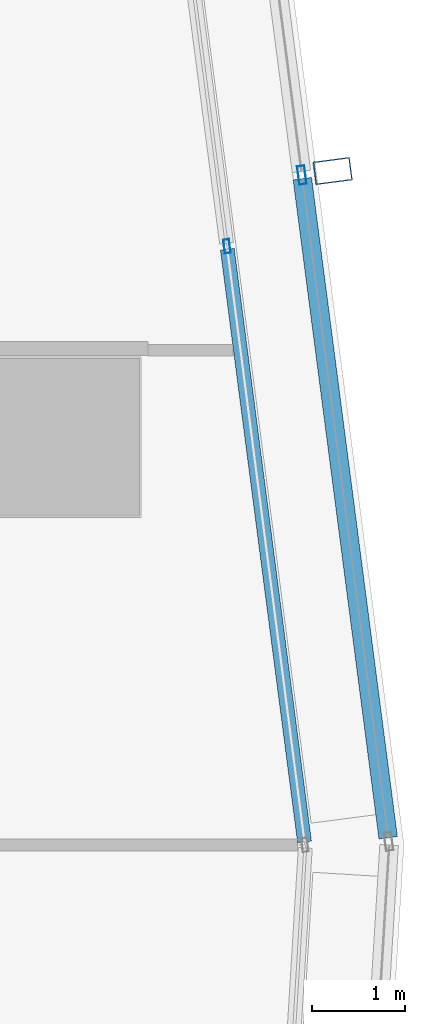
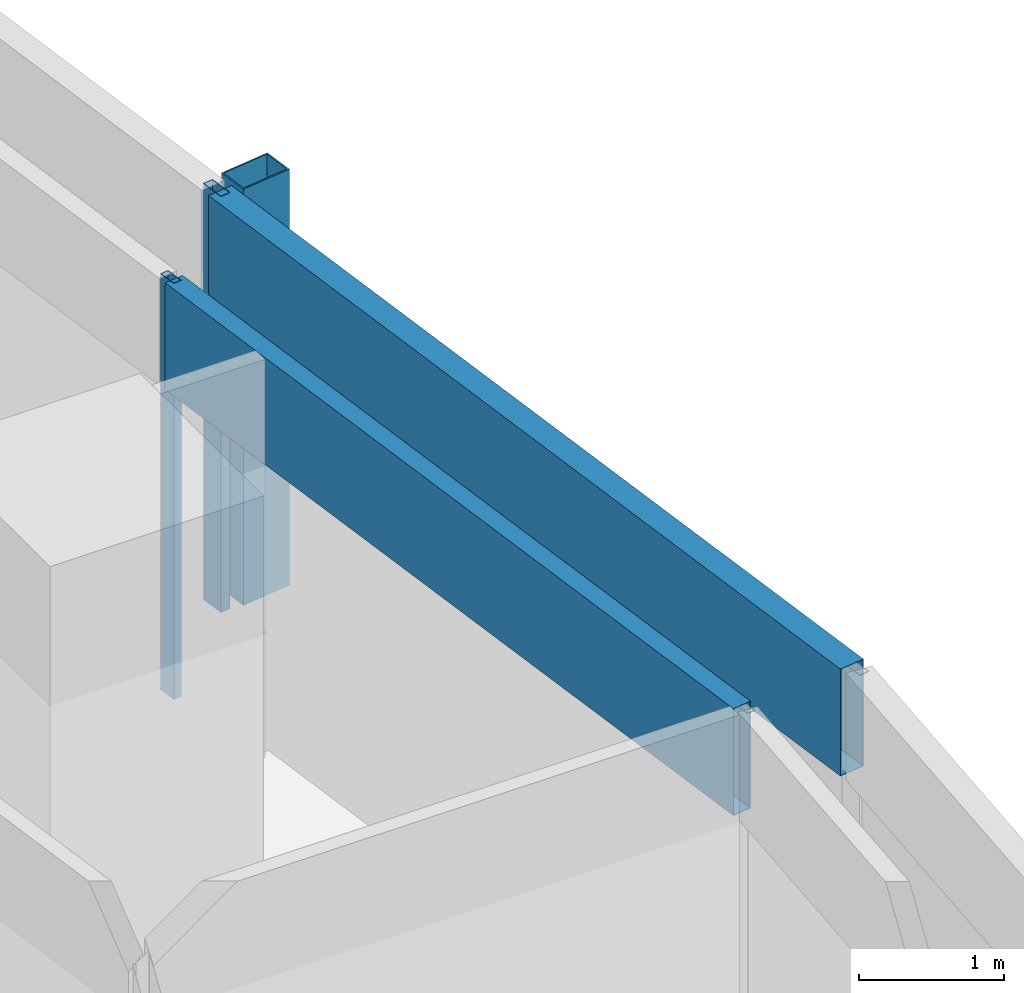
# One storey, part 26 of 40: 5 members, 2 elements without a shape of their own.
"""IFC4 building model written with IfcOpenShell, lengths in metres."""

from ifc_helpers import new_model, si_unit, direction, frame, origin, origin_2d, place, context, subcontext, project, spatial, hollow_rectangle, extrude, material, material_profile, profile_set, type_object, element, aggregate, save


model = new_model("IFC4")

# Units and contexts
model_context = context("Model", 3, precision=1e-05, world=origin(), true_north=direction((0.0, 1.0)))
body_context = subcontext(model_context, "Body", "Model", "MODEL_VIEW")
ifc_project = project(units=[si_unit("LENGTHUNIT", "METRE"), si_unit("AREAUNIT", "SQUARE_METRE"), si_unit("VOLUMEUNIT", "CUBIC_METRE"), si_unit("PLANEANGLEUNIT", "RADIAN"), si_unit("MASSUNIT", "GRAM", prefix="KILO")], contexts=[model_context])

# Site, building, storey
site_placement = place(None, origin())
site = spatial("IfcSite", under=ifc_project, at=site_placement, CompositionType="ELEMENT")
building_placement = place(site_placement, origin())
building = spatial("IfcBuilding", under=site, at=building_placement, Name="Rekha Terrace Tower", CompositionType="ELEMENT")
storey_placement = place(building_placement, frame((0.0, 0.0, 117.800048828125)))
storey = spatial("IfcBuildingStorey", under=building, at=storey_placement, Name="L29", CompositionType="ELEMENT", Elevation=117.800048828125)

# Curtain wall, member
ifc_material_1 = material(Name="Aluminium framing", Category="aluminium")
curtain_wall_type_1 = type_object("IfcCurtainWallType", Name="CW2 double skin outer glazing", PredefinedType="USERDEFINED", material=ifc_material_1)
curtain_wall_1_placement = place(storey_placement, origin())
curtain_wall_1 = element("IfcCurtainWall", 1, at=curtain_wall_1_placement, inside=storey, type_object=curtain_wall_type_1, Name="CW2 double skin outer glazing", ObjectType="DOUBLE SKIN OUTER GLAZING", PredefinedType="USERDEFINED")
ifc_material_2 = material(Name="Steel S355 with fluorocarbon finish", Category="steel")
ifc_material_profile_1 = material_profile(ifc_material_2, hollow_rectangle(XDim=0.25, YDim=0.39990234375, WallThickness=0.012451171875, at=origin_2d()), Name="RHS400x250x12.5")
ifc_profile_set_1 = profile_set([ifc_material_profile_1], Name="Steel S355 with fluorocarbon finish")
member_type_1 = type_object("IfcMemberType", Name="BL1 facade blade RHS 400 x 250", PredefinedType="USERDEFINED", material=ifc_profile_set_1)
member_1_placement = place(storey_placement, frame((70.131103515625, 53.2685546875, 0.0), z_axis=(0.0, 0.0, 1.0), x_axis=(-0.129119247945, 0.991629073702, 0.0)))
member_1 = element("IfcMember", 2, at=member_1_placement, type_object=member_type_1, Name="Facade blade", ObjectType="FACADE BLADE", PredefinedType="USERDEFINED", context=body_context, shape_type="SweptSolid", body=[
    extrude(hollow_rectangle(XDim=0.25, YDim=0.39990234375, WallThickness=0.012451171875, at=origin_2d()), origin(), (0.0, 0.0, 1.0), 3.5),
])

# Curtain wall, members
curtain_wall_type_2 = type_object("IfcCurtainWallType", Name="CW1 double skin inner glazing", PredefinedType="USERDEFINED", material=ifc_material_1)
curtain_wall_2_placement = place(storey_placement, origin())
curtain_wall_2 = element("IfcCurtainWall", 3, at=curtain_wall_2_placement, inside=storey, type_object=curtain_wall_type_2, Name="CW1 double skin inner glazing", ObjectType="DOUBLE SKIN INNER GLAZING", PredefinedType="USERDEFINED")
ifc_material_3 = material(Name="Aluminium mullion section", Category="aluminium")
ifc_material_profile_2 = material_profile(ifc_material_3, hollow_rectangle(XDim=0.06494140625, YDim=0.14990234375, WallThickness=0.00390625, at=origin_2d()), Name="AL RHS 65x150")
ifc_profile_set_2 = profile_set([ifc_material_profile_2], Name="Aluminium mullion section")
member_type_2 = type_object("IfcMemberType", Name="CW1 mullion RHS 65 x 150", PredefinedType="MULLION", material=ifc_profile_set_2)
member_2_placement = place(storey_placement, frame((68.9912109375, 52.45751953125, 0.0), z_axis=(0.0, 0.0, 1.0), x_axis=(-0.991629186237, -0.129118383675, 0.0)))
member_2 = element("IfcMember", 4, at=member_2_placement, type_object=member_type_2, Name="CW1 mullion 2", PredefinedType="MULLION", context=body_context, shape_type="SweptSolid", body=[
    extrude(hollow_rectangle(XDim=0.06494140625, YDim=0.14990234375, WallThickness=0.00390625, at=origin_2d()), origin(), (0.0, 0.0, 1.0), 3.5),
])
ifc_material_4 = material(Name="Insulated aluminium spandrel box", Category="aluminium")
ifc_material_profile_3 = material_profile(ifc_material_4, hollow_rectangle(XDim=0.14990234375, YDim=0.89990234375, WallThickness=0.0029296875, at=origin_2d()), Name="AL SPANDREL BOX 150x900")
ifc_profile_set_3 = profile_set([ifc_material_profile_3], Name="Insulated aluminium spandrel box")
member_type_3 = type_object("IfcMemberType", Name="CW1 spandrel transom 150 x 900", PredefinedType="USERDEFINED", material=ifc_profile_set_3)
member_3_placement = place(storey_placement, frame((69.827392578125, 46.0361328125, 3.050048828125), z_axis=(-0.129135072997, 0.991627013005, 0.0), x_axis=(-0.991627013005, -0.129135072997, 0.0)))
member_3 = element("IfcMember", 5, at=member_3_placement, type_object=member_type_3, Name="CW1 spandrel transom 1", ObjectType="TRANSOM", PredefinedType="USERDEFINED", context=body_context, shape_type="SweptSolid", body=[
    extrude(hollow_rectangle(XDim=0.14990234375, YDim=0.89990234375, WallThickness=0.0029296875, at=origin_2d()), origin(), (0.0, 0.0, 1.0), 6.443115234375),
])
aggregate(curtain_wall_2, [member_2, member_3])

# Member
ifc_material_profile_4 = material_profile(ifc_material_3, hollow_rectangle(XDim=0.080078125, YDim=0.199951171875, WallThickness=0.00390625, at=origin_2d()), Name="AL RHS 80x200")
ifc_profile_set_4 = profile_set([ifc_material_profile_4], Name="Aluminium mullion section")
member_type_4 = type_object("IfcMemberType", Name="CW2 mullion RHS 80 x 200", PredefinedType="MULLION", material=ifc_profile_set_4)
member_4_placement = place(storey_placement, frame((69.798828125, 53.225341796875, 0.0), z_axis=(0.0, 0.0, 1.0), x_axis=(-0.991629186244, -0.129118383623, 0.0)))
member_4 = element("IfcMember", 6, at=member_4_placement, type_object=member_type_4, Name="CW2 mullion 2", PredefinedType="MULLION", context=body_context, shape_type="SweptSolid", body=[
    extrude(hollow_rectangle(XDim=0.080078125, YDim=0.199951171875, WallThickness=0.00390625, at=origin_2d()), origin(), (0.0, 0.0, 1.0), 3.5),
])

ifc_material_profile_5 = material_profile(ifc_material_4, hollow_rectangle(XDim=0.199951171875, YDim=0.89990234375, WallThickness=0.0029296875, at=origin_2d()), Name="AL SPANDREL BOX 200x900")
ifc_profile_set_5 = profile_set([ifc_material_profile_5], Name="Insulated aluminium spandrel box")
member_type_5 = type_object("IfcMemberType", Name="CW2 spandrel transom 200 x 900", PredefinedType="USERDEFINED", material=ifc_profile_set_5)
member_5_placement = place(storey_placement, frame((70.72900390625, 46.081787109375, 3.050048828125), z_axis=(-0.129125015962, 0.991628322635, 0.0), x_axis=(-0.991628322635, -0.129125015962, 0.0)))
member_5 = element("IfcMember", 7, at=member_5_placement, type_object=member_type_5, Name="CW2 spandrel transom 1", ObjectType="TRANSOM", PredefinedType="USERDEFINED", context=body_context, shape_type="SweptSolid", body=[
    extrude(hollow_rectangle(XDim=0.199951171875, YDim=0.89990234375, WallThickness=0.0029296875, at=origin_2d()), origin(), (0.0, 0.0, 1.0), 7.1640625),
])

aggregate(curtain_wall_1, [member_4, member_5, member_1])

save(model, "model.ifc")
